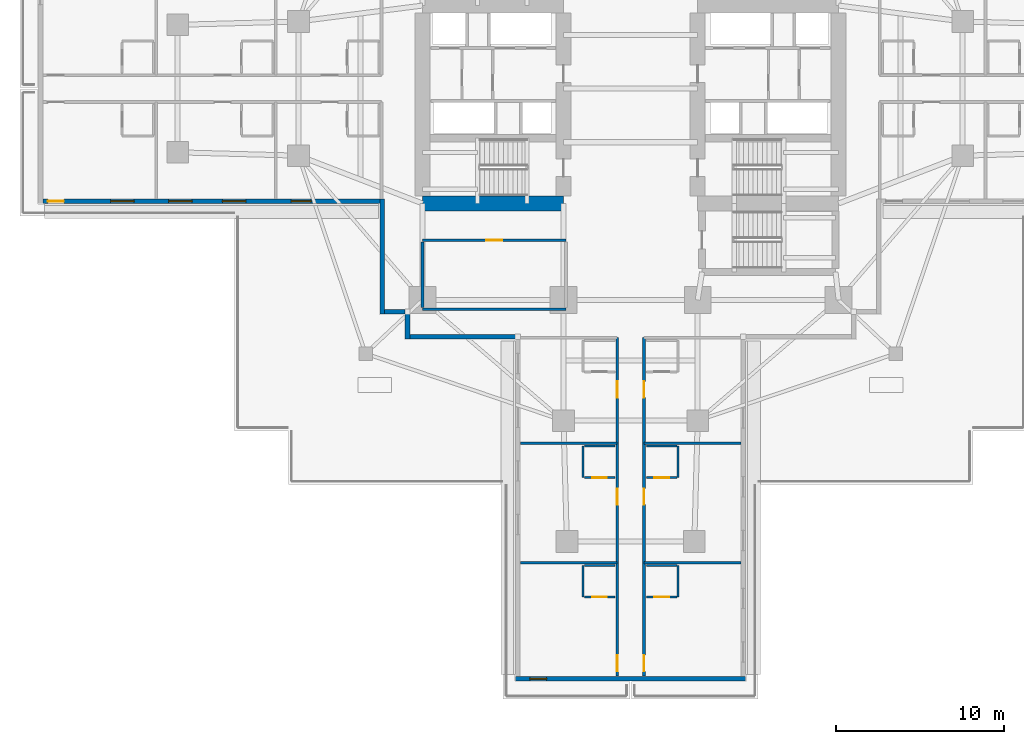
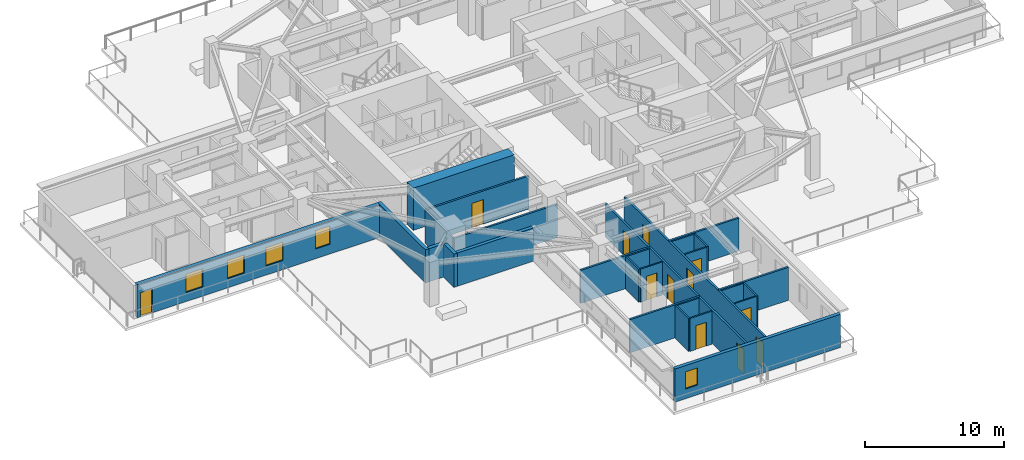
# One storey, part 3 of 15: 28 walls, 12 doors, 5 windows, 17 openings.
"""IFC4 building model written with IfcOpenShell, lengths in metres."""

from ifc_helpers import new_model, si_unit, direction, frame, frame_2d, origin, place, context, subcontext, project, spatial, rectangle, extrude, material, layer, layer_set, type_object, element, fill, save


model = new_model("IFC4")

# Units and contexts
model_context = context("Model", 3, precision=1e-05, world=origin(), true_north=direction((0.0, 1.0)))
body_context = subcontext(model_context, "Body", "Model", "MODEL_VIEW")
ifc_project = project(units=[si_unit("LENGTHUNIT", "METRE"), si_unit("AREAUNIT", "SQUARE_METRE"), si_unit("VOLUMEUNIT", "CUBIC_METRE"), si_unit("PLANEANGLEUNIT", "RADIAN"), si_unit("MASSUNIT", "GRAM", prefix="KILO")], contexts=[model_context])

# Site, building, storey
site_placement = place(None, origin())
site = spatial("IfcSite", under=ifc_project, at=site_placement, CompositionType="ELEMENT")
building_placement = place(site_placement, origin())
building = spatial("IfcBuilding", under=site, at=building_placement, Name="Qingluan Cross Belvedere", CompositionType="ELEMENT")
storey_placement = place(building_placement, frame((0.0, 0.0, 23.699951171875)))
storey = spatial("IfcBuildingStorey", under=building, at=storey_placement, Name="L06", CompositionType="ELEMENT", Elevation=23.699951171875)

# Walls
ifc_material_1 = material(Name="Concrete C70", Category="concrete")
ifc_layer_1 = layer(ifc_material_1, 0.89990234375, Name="CoreShearWall_900")
ifc_layer_set_1 = layer_set([ifc_layer_1], Name="Concrete C70")
wall_type_1 = type_object("IfcWallType", Name="CoreShearWall_900", PredefinedType="SHEAR", material=ifc_layer_set_1)
wall_1_placement = place(storey_placement, frame((-12.39990234375, -6.85009765625, 0.0), z_axis=(0.0, 0.0, 1.0), x_axis=(1.0, 0.0, 0.0)))
element("IfcWall", 1, at=wall_1_placement, inside=storey, type_object=wall_type_1, Name="Split core W shear wall L06-S", PredefinedType="SHEAR", context=body_context, shape_type="SweptSolid", body=[
    extrude(rectangle(XDim=8.39990234375, YDim=0.89990234375, at=frame_2d((4.199951171875, 0.0))), origin(), (0.0, 0.0, 1.0), 3.699951171875),
])
ifc_material_2 = material(Name="Gypsum plasterboard on steel stud acoustic partition", Category="steel")
ifc_layer_2 = layer(ifc_material_2, 0.159912109375, Name="CorridorPartition_160")
ifc_layer_set_2 = layer_set([ifc_layer_2], Name="Gypsum plasterboard on steel stud acoustic partition")
wall_type_2 = type_object("IfcWallType", Name="CorridorPartition_160", PredefinedType="PARTITIONING", material=ifc_layer_set_2)
wall_2_placement = place(storey_placement, frame((-12.39990234375, -13.14990234375, 0.0), z_axis=(0.0, 0.0, 1.0), x_axis=(1.0, 0.0, 0.0)))
element("IfcWall", 2, at=wall_2_placement, inside=storey, type_object=wall_type_2, Name="Partition L06:q_sw:S", PredefinedType="PARTITIONING", context=body_context, shape_type="SweptSolid", body=[
    extrude(rectangle(XDim=8.5498046875, YDim=0.159912109375, at=frame_2d((4.27490234375, 0.0))), origin(), (0.0, 0.0, 1.0), 2.900146484375),
])

# Wall, opening, door
wall_3_placement = place(storey_placement, frame((-12.39990234375, -9.050048828125, 0.0), z_axis=(0.0, 0.0, 1.0), x_axis=(1.0, 0.0, 0.0)))
wall_3 = element("IfcWall", 3, at=wall_3_placement, inside=storey, type_object=wall_type_2, Name="Partition L06:q_sw:N", PredefinedType="PARTITIONING", context=body_context, shape_type="SweptSolid", body=[
    extrude(rectangle(XDim=8.5498046875, YDim=0.159912109375, at=frame_2d((4.27490234375, 0.0))), origin(), (0.0, 0.0, 1.0), 2.900146484375),
])
opening_1_placement = place(wall_3_placement, frame((3.794921875, 0.0, 0.0)))
opening_1 = element("IfcOpeningElement", 4, at=opening_1_placement, cuts=wall_3, Name="Opening GD-10", PredefinedType="OPENING", context=body_context, shape_type="SweptSolid", body=[
    extrude(rectangle(XDim=0.9599609375, YDim=2.14990234375, at=frame_2d((0.47998046875, 1.074951171875))), frame((0.0, 0.08984375, 0.0), z_axis=(0.0, -1.0, 0.0), x_axis=(1.0, 0.0, 0.0)), (0.0, 0.0, 1.0), 0.179931640625),
])
ifc_material_3 = material(Name="Timber oak fire-rated acoustic guestroom door", Category="wood")
door_type_1 = type_object("IfcDoorType", Name="GuestEntryDoor_FD60", OperationType="NOTDEFINED", PredefinedType="DOOR", material=ifc_material_3)
door_1_placement = place(opening_1_placement, origin())
door_1 = element("IfcDoor", 5, at=door_1_placement, inside=storey, type_object=door_type_1, Name="Executive study room L06 door", OperationType="SINGLE_SWING_RIGHT", OverallHeight=2.14990234375, OverallWidth=0.9599609375, PredefinedType="DOOR", context=body_context, shape_type="SweptSolid", body=[
    extrude(rectangle(XDim=0.9599609375, YDim=2.14990234375, at=frame_2d((0.47998046875, 1.074951171875))), frame((0.0, 0.02490234375, 0.0), z_axis=(0.0, -1.0, 0.0), x_axis=(1.0, 0.0, 0.0)), (0.0, 0.0, 1.0), 0.050048828125),
])
fill(opening_1, door_1)

# Wall
wall_4_placement = place(storey_placement, frame((-12.39990234375, -13.06494140625, 0.0), z_axis=(0.0, 0.0, 1.0), x_axis=(0.0, 1.0, 0.0)))
element("IfcWall", 6, at=wall_4_placement, inside=storey, type_object=wall_type_2, Name="Partition L06:q_sw:W", PredefinedType="PARTITIONING", context=body_context, shape_type="SweptSolid", body=[
    extrude(rectangle(XDim=3.929931640625, YDim=0.159912109375, at=frame_2d((1.96484375, 0.0))), origin(), (0.0, 0.0, 1.0), 2.900146484375),
])

# Wall, openings, doors
wall_5_placement = place(storey_placement, frame((0.800048828125, -14.85009765625, 0.0), z_axis=(0.0, 0.0, 1.0), x_axis=(0.0, -1.0, 0.0)))
wall_5 = element("IfcWall", 7, at=wall_5_placement, inside=storey, type_object=wall_type_2, Name="Partition L06:S:c0", PredefinedType="PARTITIONING", context=body_context, shape_type="SweptSolid", body=[
    extrude(rectangle(XDim=20.181884765625, YDim=0.159912109375, at=frame_2d((10.0908203125, 0.0))), origin(), (0.0, 0.0, 1.0), 2.900146484375),
])
opening_2_placement = place(wall_5_placement, frame((2.610107421875, 0.0, 0.0)))
opening_2 = element("IfcOpeningElement", 8, at=opening_2_placement, cuts=wall_5, Name="Opening GD-10", PredefinedType="OPENING", context=body_context, shape_type="SweptSolid", body=[
    extrude(rectangle(XDim=0.9599609375, YDim=2.14990234375, at=frame_2d((0.47998046875, 1.074951171875))), frame((0.0, 0.08984375, 0.0), z_axis=(0.0, -1.0, 0.0), x_axis=(1.0, 0.0, 0.0)), (0.0, 0.0, 1.0), 0.179931640625),
])
opening_3_placement = place(wall_5_placement, frame((8.993896484375, 0.0, 0.0)))
opening_3 = element("IfcOpeningElement", 9, at=opening_3_placement, cuts=wall_5, Name="Opening GD-10", PredefinedType="OPENING", context=body_context, shape_type="SweptSolid", body=[
    extrude(rectangle(XDim=0.9599609375, YDim=2.14990234375, at=frame_2d((0.47998046875, 1.074951171875))), frame((0.0, 0.08984375, 0.0), z_axis=(0.0, -1.0, 0.0), x_axis=(1.0, 0.0, 0.0)), (0.0, 0.0, 1.0), 0.179931640625),
])
opening_4_placement = place(wall_5_placement, frame((18.929931640625, 0.0, 0.0)))
opening_4 = element("IfcOpeningElement", 10, at=opening_4_placement, cuts=wall_5, Name="Opening GD-10", PredefinedType="OPENING", context=body_context, shape_type="SweptSolid", body=[
    extrude(rectangle(XDim=0.9599609375, YDim=2.14990234375, at=frame_2d((0.47998046875, 1.074951171875))), frame((0.0, 0.08984375, 0.0), z_axis=(0.0, -1.0, 0.0), x_axis=(1.0, 0.0, 0.0)), (0.0, 0.0, 1.0), 0.179931640625),
])
door_2_placement = place(opening_2_placement, origin())
door_2 = element("IfcDoor", 11, at=door_2_placement, inside=storey, type_object=door_type_1, Name="Guest entry fire door 0619", OperationType="SINGLE_SWING_LEFT", OverallHeight=2.14990234375, OverallWidth=0.9599609375, PredefinedType="DOOR", context=body_context, shape_type="SweptSolid", body=[
    extrude(rectangle(XDim=0.9599609375, YDim=2.14990234375, at=frame_2d((0.47998046875, 1.074951171875))), frame((0.0, 0.02490234375, 0.0), z_axis=(0.0, -1.0, 0.0), x_axis=(1.0, 0.0, 0.0)), (0.0, 0.0, 1.0), 0.050048828125),
])
fill(opening_2, door_2)
door_3_placement = place(opening_3_placement, origin())
door_3 = element("IfcDoor", 12, at=door_3_placement, inside=storey, type_object=door_type_1, Name="Guest entry fire door 0620", OperationType="SINGLE_SWING_LEFT", OverallHeight=2.14990234375, OverallWidth=0.9599609375, PredefinedType="DOOR", context=body_context, shape_type="SweptSolid", body=[
    extrude(rectangle(XDim=0.9599609375, YDim=2.14990234375, at=frame_2d((0.47998046875, 1.074951171875))), frame((0.0, 0.02490234375, 0.0), z_axis=(0.0, -1.0, 0.0), x_axis=(1.0, 0.0, 0.0)), (0.0, 0.0, 1.0), 0.050048828125),
])
fill(opening_3, door_3)
door_4_placement = place(opening_4_placement, origin())
door_4 = element("IfcDoor", 13, at=door_4_placement, inside=storey, type_object=door_type_1, Name="Guest entry fire door 0621", OperationType="SINGLE_SWING_LEFT", OverallHeight=2.14990234375, OverallWidth=0.9599609375, PredefinedType="DOOR", context=body_context, shape_type="SweptSolid", body=[
    extrude(rectangle(XDim=0.9599609375, YDim=2.14990234375, at=frame_2d((0.47998046875, 1.074951171875))), frame((0.0, 0.02490234375, 0.0), z_axis=(0.0, -1.0, 0.0), x_axis=(1.0, 0.0, 0.0)), (0.0, 0.0, 1.0), 0.050048828125),
])
fill(opening_4, door_4)

# Walls
for number, where, z_axis, x_axis, name in (
    (14, (0.800048828125, -21.152099609375, 0.0), (0.0, 0.0, 1.0), (1.0, 0.0, 0.0), "Partition L06:S:d0_0"),
    (15, (0.800048828125, -28.26806640625, 0.0), (0.0, 0.0, 1.0), (1.0, 0.0, 0.0), "Partition L06:S:d0_1"),
):
    element("IfcWall", number, at=place(storey_placement, frame(where, z_axis=z_axis, x_axis=x_axis)), inside=storey, type_object=wall_type_2, Name=name, PredefinedType="PARTITIONING", context=body_context, shape_type="SweptSolid", body=[
        extrude(rectangle(XDim=5.77197265625, YDim=0.159912109375, at=frame_2d((2.885986328125, 0.0))), origin(), (0.0, 0.0, 1.0), 2.900146484375),
    ])

# Wall, openings, doors
wall_6_placement = place(storey_placement, frame((-0.800048828125, -14.85009765625, 0.0), z_axis=(0.0, 0.0, 1.0), x_axis=(0.0, -1.0, 0.0)))
wall_6 = element("IfcWall", 16, at=wall_6_placement, inside=storey, type_object=wall_type_2, Name="Partition L06:S:c1", PredefinedType="PARTITIONING", context=body_context, shape_type="SweptSolid", body=[
    extrude(rectangle(XDim=20.181884765625, YDim=0.159912109375, at=frame_2d((10.0908203125, 0.0))), origin(), (0.0, 0.0, 1.0), 2.900146484375),
])
opening_5_placement = place(wall_6_placement, frame((2.610107421875, 0.0, 0.0)))
opening_5 = element("IfcOpeningElement", 17, at=opening_5_placement, cuts=wall_6, Name="Opening GD-10", PredefinedType="OPENING", context=body_context, shape_type="SweptSolid", body=[
    extrude(rectangle(XDim=0.9599609375, YDim=2.14990234375, at=frame_2d((0.47998046875, 1.074951171875))), frame((0.0, 0.08984375, 0.0), z_axis=(0.0, -1.0, 0.0), x_axis=(1.0, 0.0, 0.0)), (0.0, 0.0, 1.0), 0.179931640625),
])
opening_6_placement = place(wall_6_placement, frame((8.993896484375, 0.0, 0.0)))
opening_6 = element("IfcOpeningElement", 18, at=opening_6_placement, cuts=wall_6, Name="Opening GD-10", PredefinedType="OPENING", context=body_context, shape_type="SweptSolid", body=[
    extrude(rectangle(XDim=0.9599609375, YDim=2.14990234375, at=frame_2d((0.47998046875, 1.074951171875))), frame((0.0, 0.08984375, 0.0), z_axis=(0.0, -1.0, 0.0), x_axis=(1.0, 0.0, 0.0)), (0.0, 0.0, 1.0), 0.179931640625),
])
opening_7_placement = place(wall_6_placement, frame((18.929931640625, 0.0, 0.0)))
opening_7 = element("IfcOpeningElement", 19, at=opening_7_placement, cuts=wall_6, Name="Opening GD-10", PredefinedType="OPENING", context=body_context, shape_type="SweptSolid", body=[
    extrude(rectangle(XDim=0.9599609375, YDim=2.14990234375, at=frame_2d((0.47998046875, 1.074951171875))), frame((0.0, 0.08984375, 0.0), z_axis=(0.0, -1.0, 0.0), x_axis=(1.0, 0.0, 0.0)), (0.0, 0.0, 1.0), 0.179931640625),
])
door_5_placement = place(opening_5_placement, origin())
door_5 = element("IfcDoor", 20, at=door_5_placement, inside=storey, type_object=door_type_1, Name="Guest entry fire door 0622", OperationType="SINGLE_SWING_LEFT", OverallHeight=2.14990234375, OverallWidth=0.9599609375, PredefinedType="DOOR", context=body_context, shape_type="SweptSolid", body=[
    extrude(rectangle(XDim=0.9599609375, YDim=2.14990234375, at=frame_2d((0.47998046875, 1.074951171875))), frame((0.0, 0.02490234375, 0.0), z_axis=(0.0, -1.0, 0.0), x_axis=(1.0, 0.0, 0.0)), (0.0, 0.0, 1.0), 0.050048828125),
])
fill(opening_5, door_5)
door_6_placement = place(opening_6_placement, origin())
door_6 = element("IfcDoor", 21, at=door_6_placement, inside=storey, type_object=door_type_1, Name="Guest entry fire door 0623", OperationType="SINGLE_SWING_LEFT", OverallHeight=2.14990234375, OverallWidth=0.9599609375, PredefinedType="DOOR", context=body_context, shape_type="SweptSolid", body=[
    extrude(rectangle(XDim=0.9599609375, YDim=2.14990234375, at=frame_2d((0.47998046875, 1.074951171875))), frame((0.0, 0.02490234375, 0.0), z_axis=(0.0, -1.0, 0.0), x_axis=(1.0, 0.0, 0.0)), (0.0, 0.0, 1.0), 0.050048828125),
])
fill(opening_6, door_6)
door_7_placement = place(opening_7_placement, origin())
door_7 = element("IfcDoor", 22, at=door_7_placement, inside=storey, type_object=door_type_1, Name="Guest entry fire door 0624", OperationType="SINGLE_SWING_LEFT", OverallHeight=2.14990234375, OverallWidth=0.9599609375, PredefinedType="DOOR", context=body_context, shape_type="SweptSolid", body=[
    extrude(rectangle(XDim=0.9599609375, YDim=2.14990234375, at=frame_2d((0.47998046875, 1.074951171875))), frame((0.0, 0.02490234375, 0.0), z_axis=(0.0, -1.0, 0.0), x_axis=(1.0, 0.0, 0.0)), (0.0, 0.0, 1.0), 0.050048828125),
])
fill(opening_7, door_7)

# Walls
for number, where, z_axis, x_axis, name in (
    (23, (-0.800048828125, -21.152099609375, 0.0), (0.0, 0.0, 1.0), (-1.0, 0.0, 0.0), "Partition L06:S:d1_0"),
    (24, (-0.800048828125, -28.26806640625, 0.0), (0.0, 0.0, 1.0), (-1.0, 0.0, 0.0), "Partition L06:S:d1_1"),
):
    element("IfcWall", number, at=place(storey_placement, frame(where, z_axis=z_axis, x_axis=x_axis)), inside=storey, type_object=wall_type_2, Name=name, PredefinedType="PARTITIONING", context=body_context, shape_type="SweptSolid", body=[
        extrude(rectangle(XDim=5.77197265625, YDim=0.159912109375, at=frame_2d((2.885986328125, 0.0))), origin(), (0.0, 0.0, 1.0), 2.900146484375),
    ])

# Wall, opening, door
ifc_material_4 = material(Name="Moisture-resistant gypsum board lining")
ifc_layer_3 = layer(ifc_material_4, 0.1201171875, Name="EnsuiteWetPartition_120")
ifc_layer_set_3 = layer_set([ifc_layer_3], Name="Moisture-resistant gypsum board lining")
wall_type_3 = type_object("IfcWallType", Name="EnsuiteWetPartition_120", PredefinedType="PARTITIONING", material=ifc_layer_set_3)
wall_7_placement = place(storey_placement, frame((0.93994140625, -23.19189453125, 0.0), z_axis=(0.0, 0.0, 1.0), x_axis=(1.0, 0.0, 0.0)))
wall_7 = element("IfcWall", 25, at=wall_7_placement, inside=storey, type_object=wall_type_3, Name="Partition L06:S:bs0_1", PredefinedType="PARTITIONING", context=body_context, shape_type="SweptSolid", body=[
    extrude(rectangle(XDim=1.820068359375, YDim=0.1201171875, at=frame_2d((0.91015625, 0.0))), origin(), (0.0, 0.0, 1.0), 2.900146484375),
])
opening_8_placement = place(wall_7_placement, frame((0.469970703125, 0.0, 0.0)))
opening_8 = element("IfcOpeningElement", 26, at=opening_8_placement, cuts=wall_7, Name="Opening BD-09", PredefinedType="OPENING", context=body_context, shape_type="SweptSolid", body=[
    extrude(rectangle(XDim=0.8798828125, YDim=2.10009765625, at=frame_2d((0.43994140625, 1.050048828125))), frame((0.0, 0.070068359375, 0.0), z_axis=(0.0, -1.0, 0.0), x_axis=(1.0, 0.0, 0.0)), (0.0, 0.0, 1.0), 0.14013671875),
])
ifc_material_5 = material(Name="Moisture-sealed timber en-suite door", Category="wood")
door_type_2 = type_object("IfcDoorType", Name="BathroomDoor_880", OperationType="NOTDEFINED", PredefinedType="DOOR", material=ifc_material_5)
door_8_placement = place(opening_8_placement, origin())
door_8 = element("IfcDoor", 27, at=door_8_placement, inside=storey, type_object=door_type_2, Name="Bathroom door 0620", OperationType="SINGLE_SWING_RIGHT", OverallHeight=2.10009765625, OverallWidth=0.8798828125, PredefinedType="DOOR", context=body_context, shape_type="SweptSolid", body=[
    extrude(rectangle(XDim=0.8798828125, YDim=2.10009765625, at=frame_2d((0.43994140625, 1.050048828125))), frame((0.0, 0.02490234375, 0.0), z_axis=(0.0, -1.0, 0.0), x_axis=(1.0, 0.0, 0.0)), (0.0, 0.0, 1.0), 0.050048828125),
])
fill(opening_8, door_8)

# Walls
wall_8_placement = place(storey_placement, frame((0.93994140625, -21.31201171875, 0.0), z_axis=(0.0, 0.0, 1.0), x_axis=(1.0, 0.0, 0.0)))
element("IfcWall", 28, at=wall_8_placement, inside=storey, type_object=wall_type_3, Name="Partition L06:S:bw0_1", PredefinedType="PARTITIONING", context=body_context, shape_type="SweptSolid", body=[
    extrude(rectangle(XDim=1.820068359375, YDim=0.1201171875, at=frame_2d((0.91015625, 0.0))), origin(), (0.0, 0.0, 1.0), 2.900146484375),
])
wall_9_placement = place(storey_placement, frame((2.824951171875, -21.31201171875, 0.0), z_axis=(0.0, 0.0, 1.0), x_axis=(0.0, -1.0, 0.0)))
element("IfcWall", 29, at=wall_9_placement, inside=storey, type_object=wall_type_3, Name="Partition L06:S:bn0_1", PredefinedType="PARTITIONING", context=body_context, shape_type="SweptSolid", body=[
    extrude(rectangle(XDim=1.8798828125, YDim=0.1201171875, at=frame_2d((0.93994140625, 0.0))), origin(), (0.0, 0.0, 1.0), 2.900146484375),
])

# Wall, opening, door
wall_10_placement = place(storey_placement, frame((0.93994140625, -30.30810546875, 0.0), z_axis=(0.0, 0.0, 1.0), x_axis=(1.0, 0.0, 0.0)))
wall_10 = element("IfcWall", 30, at=wall_10_placement, inside=storey, type_object=wall_type_3, Name="Partition L06:S:bs0_2", PredefinedType="PARTITIONING", context=body_context, shape_type="SweptSolid", body=[
    extrude(rectangle(XDim=1.820068359375, YDim=0.1201171875, at=frame_2d((0.91015625, 0.0))), origin(), (0.0, 0.0, 1.0), 2.900146484375),
])
opening_9_placement = place(wall_10_placement, frame((0.469970703125, 0.0, 0.0)))
opening_9 = element("IfcOpeningElement", 31, at=opening_9_placement, cuts=wall_10, Name="Opening BD-09", PredefinedType="OPENING", context=body_context, shape_type="SweptSolid", body=[
    extrude(rectangle(XDim=0.8798828125, YDim=2.10009765625, at=frame_2d((0.43994140625, 1.050048828125))), frame((0.0, 0.070068359375, 0.0), z_axis=(0.0, -1.0, 0.0), x_axis=(1.0, 0.0, 0.0)), (0.0, 0.0, 1.0), 0.14013671875),
])
door_9_placement = place(opening_9_placement, origin())
door_9 = element("IfcDoor", 32, at=door_9_placement, inside=storey, type_object=door_type_2, Name="Bathroom door 0621", OperationType="SINGLE_SWING_RIGHT", OverallHeight=2.10009765625, OverallWidth=0.8798828125, PredefinedType="DOOR", context=body_context, shape_type="SweptSolid", body=[
    extrude(rectangle(XDim=0.8798828125, YDim=2.10009765625, at=frame_2d((0.43994140625, 1.050048828125))), frame((0.0, 0.02490234375, 0.0), z_axis=(0.0, -1.0, 0.0), x_axis=(1.0, 0.0, 0.0)), (0.0, 0.0, 1.0), 0.050048828125),
])
fill(opening_9, door_9)

# Walls
wall_11_placement = place(storey_placement, frame((0.93994140625, -28.427978515625, 0.0), z_axis=(0.0, 0.0, 1.0), x_axis=(1.0, 0.0, 0.0)))
element("IfcWall", 33, at=wall_11_placement, inside=storey, type_object=wall_type_3, Name="Partition L06:S:bw0_2", PredefinedType="PARTITIONING", context=body_context, shape_type="SweptSolid", body=[
    extrude(rectangle(XDim=1.820068359375, YDim=0.1201171875, at=frame_2d((0.91015625, 0.0))), origin(), (0.0, 0.0, 1.0), 2.900146484375),
])
wall_12_placement = place(storey_placement, frame((2.824951171875, -28.427978515625, 0.0), z_axis=(0.0, 0.0, 1.0), x_axis=(0.0, -1.0, 0.0)))
element("IfcWall", 34, at=wall_12_placement, inside=storey, type_object=wall_type_3, Name="Partition L06:S:bn0_2", PredefinedType="PARTITIONING", context=body_context, shape_type="SweptSolid", body=[
    extrude(rectangle(XDim=1.880126953125, YDim=0.1201171875, at=frame_2d((0.93994140625, 0.0))), origin(), (0.0, 0.0, 1.0), 2.900146484375),
])

# Wall, opening, door
wall_13_placement = place(storey_placement, frame((-2.760009765625, -23.19189453125, 0.0), z_axis=(0.0, 0.0, 1.0), x_axis=(1.0, 0.0, 0.0)))
wall_13 = element("IfcWall", 35, at=wall_13_placement, inside=storey, type_object=wall_type_3, Name="Partition L06:S:bs1_1", PredefinedType="PARTITIONING", context=body_context, shape_type="SweptSolid", body=[
    extrude(rectangle(XDim=1.820068359375, YDim=0.1201171875, at=frame_2d((0.91015625, 0.0))), origin(), (0.0, 0.0, 1.0), 2.900146484375),
])
opening_10_placement = place(wall_13_placement, frame((0.469970703125, 0.0, 0.0)))
opening_10 = element("IfcOpeningElement", 36, at=opening_10_placement, cuts=wall_13, Name="Opening BD-09", PredefinedType="OPENING", context=body_context, shape_type="SweptSolid", body=[
    extrude(rectangle(XDim=0.8798828125, YDim=2.10009765625, at=frame_2d((0.43994140625, 1.050048828125))), frame((0.0, 0.070068359375, 0.0), z_axis=(0.0, -1.0, 0.0), x_axis=(1.0, 0.0, 0.0)), (0.0, 0.0, 1.0), 0.14013671875),
])
door_10_placement = place(opening_10_placement, origin())
door_10 = element("IfcDoor", 37, at=door_10_placement, inside=storey, type_object=door_type_2, Name="Bathroom door 0623", OperationType="SINGLE_SWING_RIGHT", OverallHeight=2.10009765625, OverallWidth=0.8798828125, PredefinedType="DOOR", context=body_context, shape_type="SweptSolid", body=[
    extrude(rectangle(XDim=0.8798828125, YDim=2.10009765625, at=frame_2d((0.43994140625, 1.050048828125))), frame((0.0, 0.02490234375, 0.0), z_axis=(0.0, -1.0, 0.0), x_axis=(1.0, 0.0, 0.0)), (0.0, 0.0, 1.0), 0.050048828125),
])
fill(opening_10, door_10)

# Walls
wall_14_placement = place(storey_placement, frame((-2.760009765625, -21.31201171875, 0.0), z_axis=(0.0, 0.0, 1.0), x_axis=(1.0, 0.0, 0.0)))
element("IfcWall", 38, at=wall_14_placement, inside=storey, type_object=wall_type_3, Name="Partition L06:S:bw1_1", PredefinedType="PARTITIONING", context=body_context, shape_type="SweptSolid", body=[
    extrude(rectangle(XDim=1.820068359375, YDim=0.1201171875, at=frame_2d((0.91015625, 0.0))), origin(), (0.0, 0.0, 1.0), 2.900146484375),
])
wall_15_placement = place(storey_placement, frame((-2.824951171875, -21.31201171875, 0.0), z_axis=(0.0, 0.0, 1.0), x_axis=(0.0, -1.0, 0.0)))
element("IfcWall", 39, at=wall_15_placement, inside=storey, type_object=wall_type_3, Name="Partition L06:S:bc1_1", PredefinedType="PARTITIONING", context=body_context, shape_type="SweptSolid", body=[
    extrude(rectangle(XDim=1.8798828125, YDim=0.1201171875, at=frame_2d((0.93994140625, 0.0))), origin(), (0.0, 0.0, 1.0), 2.900146484375),
])

# Wall, opening, door
wall_16_placement = place(storey_placement, frame((-2.760009765625, -30.30810546875, 0.0), z_axis=(0.0, 0.0, 1.0), x_axis=(1.0, 0.0, 0.0)))
wall_16 = element("IfcWall", 40, at=wall_16_placement, inside=storey, type_object=wall_type_3, Name="Partition L06:S:bs1_2", PredefinedType="PARTITIONING", context=body_context, shape_type="SweptSolid", body=[
    extrude(rectangle(XDim=1.820068359375, YDim=0.1201171875, at=frame_2d((0.91015625, 0.0))), origin(), (0.0, 0.0, 1.0), 2.900146484375),
])
opening_11_placement = place(wall_16_placement, frame((0.469970703125, 0.0, 0.0)))
opening_11 = element("IfcOpeningElement", 41, at=opening_11_placement, cuts=wall_16, Name="Opening BD-09", PredefinedType="OPENING", context=body_context, shape_type="SweptSolid", body=[
    extrude(rectangle(XDim=0.8798828125, YDim=2.10009765625, at=frame_2d((0.43994140625, 1.050048828125))), frame((0.0, 0.070068359375, 0.0), z_axis=(0.0, -1.0, 0.0), x_axis=(1.0, 0.0, 0.0)), (0.0, 0.0, 1.0), 0.14013671875),
])
door_11_placement = place(opening_11_placement, origin())
door_11 = element("IfcDoor", 42, at=door_11_placement, inside=storey, type_object=door_type_2, Name="Bathroom door 0624", OperationType="SINGLE_SWING_RIGHT", OverallHeight=2.10009765625, OverallWidth=0.8798828125, PredefinedType="DOOR", context=body_context, shape_type="SweptSolid", body=[
    extrude(rectangle(XDim=0.8798828125, YDim=2.10009765625, at=frame_2d((0.43994140625, 1.050048828125))), frame((0.0, 0.02490234375, 0.0), z_axis=(0.0, -1.0, 0.0), x_axis=(1.0, 0.0, 0.0)), (0.0, 0.0, 1.0), 0.050048828125),
])
fill(opening_11, door_11)

# Walls
wall_17_placement = place(storey_placement, frame((-2.760009765625, -28.427978515625, 0.0), z_axis=(0.0, 0.0, 1.0), x_axis=(1.0, 0.0, 0.0)))
element("IfcWall", 43, at=wall_17_placement, inside=storey, type_object=wall_type_3, Name="Partition L06:S:bw1_2", PredefinedType="PARTITIONING", context=body_context, shape_type="SweptSolid", body=[
    extrude(rectangle(XDim=1.820068359375, YDim=0.1201171875, at=frame_2d((0.91015625, 0.0))), origin(), (0.0, 0.0, 1.0), 2.900146484375),
])
wall_18_placement = place(storey_placement, frame((-2.824951171875, -28.427978515625, 0.0), z_axis=(0.0, 0.0, 1.0), x_axis=(0.0, -1.0, 0.0)))
element("IfcWall", 44, at=wall_18_placement, inside=storey, type_object=wall_type_3, Name="Partition L06:S:bc1_2", PredefinedType="PARTITIONING", context=body_context, shape_type="SweptSolid", body=[
    extrude(rectangle(XDim=1.880126953125, YDim=0.1201171875, at=frame_2d((0.93994140625, 0.0))), origin(), (0.0, 0.0, 1.0), 2.900146484375),
])

# Wall, openings, door, windows
ifc_material_6 = material(Name="Precast concrete C45", Category="concrete")
ifc_layer_4 = layer(ifc_material_6, 0.280029296875, Name="PrecastFacadeWall_280")
ifc_layer_set_4 = layer_set([ifc_layer_4], Name="Precast concrete C45")
wall_type_4 = type_object("IfcWallType", Name="PrecastFacadeWall_280", PredefinedType="STANDARD", material=ifc_layer_set_4)
wall_19_placement = place(storey_placement, frame((-35.0400390625, -6.719970703125, 0.0), z_axis=(0.0, 0.0, 1.0), x_axis=(1.0, 0.0, 0.0)))
wall_19 = element("IfcWall", 45, at=wall_19_placement, inside=storey, type_object=wall_type_4, Name="Facade wall L06-WB", PredefinedType="STANDARD", context=body_context, shape_type="SweptSolid", body=[
    extrude(rectangle(XDim=20.10009765625, YDim=0.280029296875, at=frame_2d((10.050048828125, 0.0))), origin(), (0.0, 0.0, 1.0), 2.91015625),
])
opening_12_placement = place(wall_19_placement, frame((4.050048828125, 0.0, 0.800048828125)))
opening_12 = element("IfcOpeningElement", 46, at=opening_12_placement, cuts=wall_19, Name="Opening W-01", PredefinedType="OPENING", context=body_context, shape_type="SweptSolid", body=[
    extrude(rectangle(XDim=1.39990234375, YDim=1.60009765625, at=frame_2d((0.699951171875, 0.800048828125))), frame((0.0, 0.14990234375, 0.0), z_axis=(0.0, -1.0, 0.0), x_axis=(1.0, 0.0, 0.0)), (0.0, 0.0, 1.0), 0.300048828125),
])
opening_13_placement = place(wall_19_placement, frame((7.5, 0.0, 0.800048828125)))
opening_13 = element("IfcOpeningElement", 47, at=opening_13_placement, cuts=wall_19, Name="Opening W-01", PredefinedType="OPENING", context=body_context, shape_type="SweptSolid", body=[
    extrude(rectangle(XDim=1.39990234375, YDim=1.60009765625, at=frame_2d((0.699951171875, 0.800048828125))), frame((0.0, 0.14990234375, 0.0), z_axis=(0.0, -1.0, 0.0), x_axis=(1.0, 0.0, 0.0)), (0.0, 0.0, 1.0), 0.300048828125),
])
opening_14_placement = place(wall_19_placement, frame((10.699951171875, 0.0, 0.800048828125)))
opening_14 = element("IfcOpeningElement", 48, at=opening_14_placement, cuts=wall_19, Name="Opening W-01", PredefinedType="OPENING", context=body_context, shape_type="SweptSolid", body=[
    extrude(rectangle(XDim=1.39990234375, YDim=1.60009765625, at=frame_2d((0.699951171875, 0.800048828125))), frame((0.0, 0.14990234375, 0.0), z_axis=(0.0, -1.0, 0.0), x_axis=(1.0, 0.0, 0.0)), (0.0, 0.0, 1.0), 0.300048828125),
])
opening_15_placement = place(wall_19_placement, frame((0.300048828125, 0.0, 0.0)))
opening_15 = element("IfcOpeningElement", 49, at=opening_15_placement, cuts=wall_19, Name="Opening TD-10", PredefinedType="OPENING", context=body_context, shape_type="SweptSolid", body=[
    extrude(rectangle(XDim=0.9599609375, YDim=2.10009765625, at=frame_2d((0.47998046875, 1.050048828125))), frame((0.0, 0.14990234375, 0.0), z_axis=(0.0, -1.0, 0.0), x_axis=(1.0, 0.0, 0.0)), (0.0, 0.0, 1.0), 0.300048828125),
])
opening_16_placement = place(wall_19_placement, frame((14.799072265625, 0.0, 0.85009765625)))
opening_16 = element("IfcOpeningElement", 50, at=opening_16_placement, cuts=wall_19, Name="Opening W-02", PredefinedType="OPENING", context=body_context, shape_type="SweptSolid", body=[
    extrude(rectangle(XDim=1.199951171875, YDim=1.60009765625, at=frame_2d((0.60009765625, 0.800048828125))), frame((0.0, 0.14990234375, 0.0), z_axis=(0.0, -1.0, 0.0), x_axis=(1.0, 0.0, 0.0)), (0.0, 0.0, 1.0), 0.300048828125),
])
ifc_material_7 = material(Name="Thermally broken aluminium and Low-E glass", Category="aluminium")
door_type_3 = type_object("IfcDoorType", Name="SetbackTerraceDoor_096", OperationType="NOTDEFINED", PredefinedType="DOOR", material=ifc_material_7)
door_12_placement = place(opening_15_placement, origin())
door_12 = element("IfcDoor", 51, at=door_12_placement, inside=storey, type_object=door_type_3, Name="Outdoor terrace access door L06-cas3", OperationType="SINGLE_SWING_RIGHT", OverallHeight=2.10009765625, OverallWidth=0.9599609375, PredefinedType="DOOR", context=body_context, shape_type="SweptSolid", body=[
    extrude(rectangle(XDim=0.9599609375, YDim=2.10009765625, at=frame_2d((0.47998046875, 1.050048828125))), frame((0.0, 0.02490234375, 0.0), z_axis=(0.0, -1.0, 0.0), x_axis=(1.0, 0.0, 0.0)), (0.0, 0.0, 1.0), 0.050048828125),
])
fill(opening_15, door_12)
ifc_material_8 = material(Name="Thermally broken triple Low-E glass in aluminium frame", Category="aluminium")
window_type_1 = type_object("IfcWindowType", Name="TriRibbonWin_1200x1600", PartitioningType="SINGLE_PANEL", PredefinedType="WINDOW", material=ifc_material_8)
window_1_placement = place(opening_16_placement, origin())
window_1 = element("IfcWindow", 52, at=window_1_placement, inside=storey, type_object=window_type_1, Name="Deluxe guest room 0610 daylight window", OverallHeight=1.60009765625, OverallWidth=1.199951171875, PartitioningType="SINGLE_PANEL", PredefinedType="WINDOW", context=body_context, shape_type="SweptSolid", body=[
    extrude(rectangle(XDim=1.199951171875, YDim=1.60009765625, at=frame_2d((0.60009765625, 0.800048828125))), frame((0.0, 0.030029296875, 0.0), z_axis=(0.0, -1.0, 0.0), x_axis=(1.0, 0.0, 0.0)), (0.0, 0.0, 1.0), 0.06005859375),
])
fill(opening_16, window_1)
ifc_material_9 = material(Name="Thermally broken triple Low-E glass in aluminium frame", Category="aluminium")
window_type_2 = type_object("IfcWindowType", Name="TriRibbonWin_1400x1600", PartitioningType="SINGLE_PANEL", PredefinedType="WINDOW", material=ifc_material_9)
window_2_placement = place(opening_12_placement, origin())
window_2 = element("IfcWindow", 53, at=window_2_placement, inside=storey, type_object=window_type_2, Name="Ribbon window L06-WB-2", OverallHeight=1.60009765625, OverallWidth=1.39990234375, PartitioningType="SINGLE_PANEL", PredefinedType="WINDOW", context=body_context, shape_type="SweptSolid", body=[
    extrude(rectangle(XDim=1.39990234375, YDim=1.60009765625, at=frame_2d((0.699951171875, 0.800048828125))), frame((0.0, 0.030029296875, 0.0), z_axis=(0.0, -1.0, 0.0), x_axis=(1.0, 0.0, 0.0)), (0.0, 0.0, 1.0), 0.06005859375),
])
fill(opening_12, window_2)
window_3_placement = place(opening_13_placement, origin())
window_3 = element("IfcWindow", 54, at=window_3_placement, inside=storey, type_object=window_type_2, Name="Ribbon window L06-WB-3", OverallHeight=1.60009765625, OverallWidth=1.39990234375, PartitioningType="SINGLE_PANEL", PredefinedType="WINDOW", context=body_context, shape_type="SweptSolid", body=[
    extrude(rectangle(XDim=1.39990234375, YDim=1.60009765625, at=frame_2d((0.699951171875, 0.800048828125))), frame((0.0, 0.030029296875, 0.0), z_axis=(0.0, -1.0, 0.0), x_axis=(1.0, 0.0, 0.0)), (0.0, 0.0, 1.0), 0.06005859375),
])
fill(opening_13, window_3)
window_4_placement = place(opening_14_placement, origin())
window_4 = element("IfcWindow", 55, at=window_4_placement, inside=storey, type_object=window_type_2, Name="Ribbon window L06-WB-4", OverallHeight=1.60009765625, OverallWidth=1.39990234375, PartitioningType="SINGLE_PANEL", PredefinedType="WINDOW", context=body_context, shape_type="SweptSolid", body=[
    extrude(rectangle(XDim=1.39990234375, YDim=1.60009765625, at=frame_2d((0.699951171875, 0.800048828125))), frame((0.0, 0.030029296875, 0.0), z_axis=(0.0, -1.0, 0.0), x_axis=(1.0, 0.0, 0.0)), (0.0, 0.0, 1.0), 0.06005859375),
])
fill(opening_14, window_4)

# Wall, opening, window
wall_20_placement = place(storey_placement, frame((-6.860107421875, -35.179931640625, 0.0), z_axis=(0.0, 0.0, 1.0), x_axis=(1.0, 0.0, 0.0)))
wall_20 = element("IfcWall", 56, at=wall_20_placement, inside=storey, type_object=wall_type_4, Name="Arm tip precast facade wall L06-S", PredefinedType="STANDARD", context=body_context, shape_type="SweptSolid", body=[
    extrude(rectangle(XDim=13.72021484375, YDim=0.280029296875, at=frame_2d((6.860107421875, 0.0))), origin(), (0.0, 0.0, 1.0), 2.91015625),
])
opening_17_placement = place(wall_20_placement, frame((0.85009765625, 0.0, 0.85009765625)))
opening_17 = element("IfcOpeningElement", 57, at=opening_17_placement, cuts=wall_20, Name="Opening W-03", PredefinedType="OPENING", context=body_context, shape_type="SweptSolid", body=[
    extrude(rectangle(XDim=1.0, YDim=1.5, at=frame_2d((0.5, 0.75))), frame((0.0, 0.14990234375, 0.0), z_axis=(0.0, -1.0, 0.0), x_axis=(1.0, 0.0, 0.0)), (0.0, 0.0, 1.0), 0.300048828125),
])
ifc_material_10 = material(Name="Thermally broken triple Low-E glass in aluminium frame", Category="aluminium")
window_type_3 = type_object("IfcWindowType", Name="TriApexWin_1000x1500", PartitioningType="SINGLE_PANEL", PredefinedType="WINDOW", material=ifc_material_10)
window_5_placement = place(opening_17_placement, origin())
window_5 = element("IfcWindow", 58, at=window_5_placement, inside=storey, type_object=window_type_3, Name="Arm tip triangular window L06-S", OverallHeight=1.5, OverallWidth=1.0, PartitioningType="SINGLE_PANEL", PredefinedType="WINDOW", context=body_context, shape_type="SweptSolid", body=[
    extrude(rectangle(XDim=1.0, YDim=1.5, at=frame_2d((0.5, 0.75))), frame((0.0, 0.030029296875, 0.0), z_axis=(0.0, -1.0, 0.0), x_axis=(1.0, 0.0, 0.0)), (0.0, 0.0, 1.0), 0.06005859375),
])
fill(opening_17, window_5)

# Walls
wall_21_placement = place(storey_placement, frame((-14.800048828125, -6.580078125, 0.0), z_axis=(0.0, 0.0, 1.0), x_axis=(0.0, -1.0, 0.0)))
element("IfcWall", 59, at=wall_21_placement, inside=storey, type_object=wall_type_4, Name="Corner wall L06-SW1", PredefinedType="STANDARD", context=body_context, shape_type="SweptSolid", body=[
    extrude(rectangle(XDim=6.85986328125, YDim=0.280029296875, at=frame_2d((3.429931640625, 0.0))), origin(), (0.0, 0.0, 1.0), 2.91015625),
])
wall_22_placement = place(storey_placement, frame((-14.659912109375, -13.300048828125, 0.0), z_axis=(0.0, 0.0, 1.0), x_axis=(1.0, 0.0, 0.0)))
element("IfcWall", 60, at=wall_22_placement, inside=storey, type_object=wall_type_4, Name="Corner wall L06-SW2", PredefinedType="STANDARD", context=body_context, shape_type="SweptSolid", body=[
    extrude(rectangle(XDim=1.219970703125, YDim=0.280029296875, at=frame_2d((0.60986328125, 0.0))), origin(), (0.0, 0.0, 1.0), 2.91015625),
])
wall_23_placement = place(storey_placement, frame((-13.300048828125, -13.43994140625, 0.0), z_axis=(0.0, 0.0, 1.0), x_axis=(0.0, -1.0, 0.0)))
element("IfcWall", 61, at=wall_23_placement, inside=storey, type_object=wall_type_4, Name="Corner wall L06-SW3", PredefinedType="STANDARD", context=body_context, shape_type="SweptSolid", body=[
    extrude(rectangle(XDim=1.5, YDim=0.280029296875, at=frame_2d((0.75, 0.0))), origin(), (0.0, 0.0, 1.0), 2.91015625),
])
wall_24_placement = place(storey_placement, frame((-13.159912109375, -14.800048828125, 0.0), z_axis=(0.0, 0.0, 1.0), x_axis=(1.0, 0.0, 0.0)))
element("IfcWall", 62, at=wall_24_placement, inside=storey, type_object=wall_type_4, Name="Corner wall L06-SW4", PredefinedType="STANDARD", context=body_context, shape_type="SweptSolid", body=[
    extrude(rectangle(XDim=6.2998046875, YDim=0.280029296875, at=frame_2d((3.14990234375, 0.0))), origin(), (0.0, 0.0, 1.0), 2.91015625),
])

save(model, "model.ifc")
